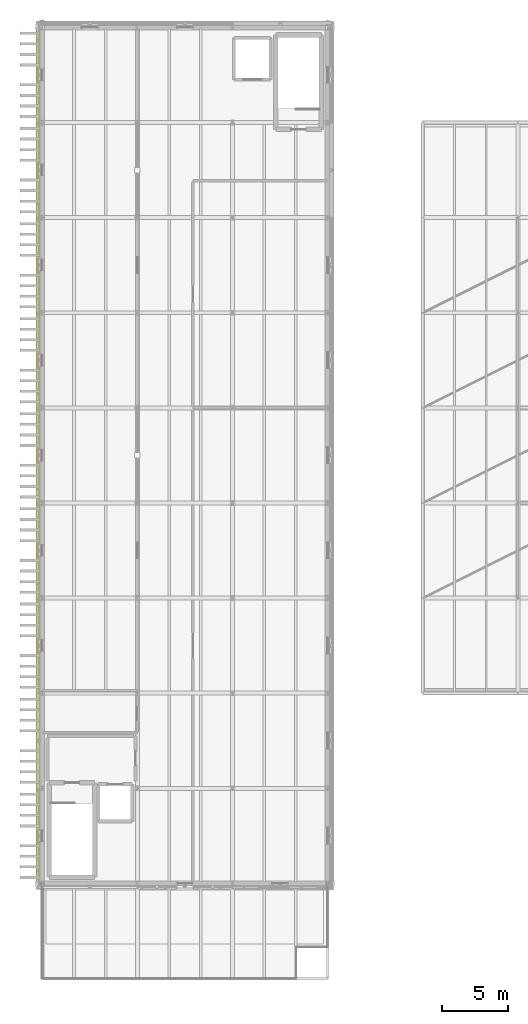
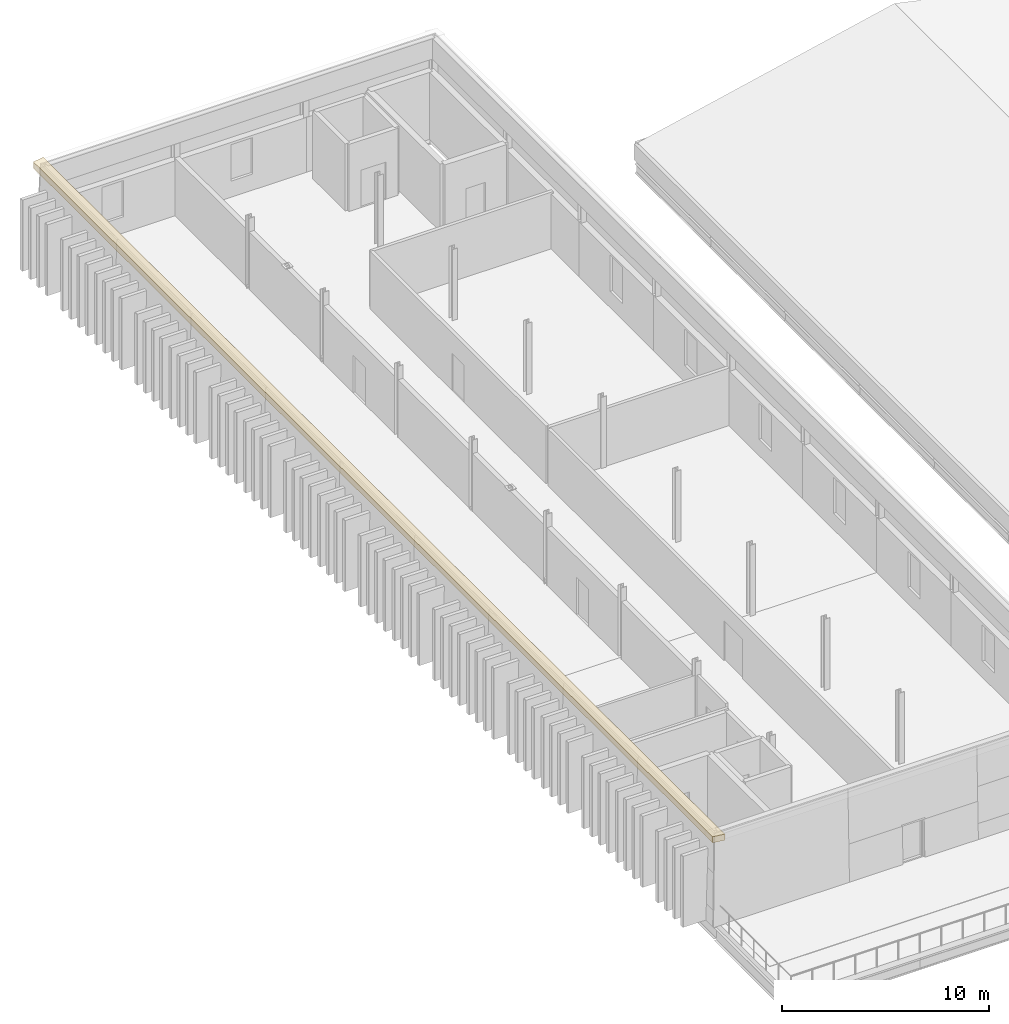
# One storey, part 39 of 44: 1 covering.
"""IFC4 building model written with IfcOpenShell, lengths in metres."""

from ifc_helpers import new_model, si_unit, direction, frame, origin, place, context, subcontext, project, spatial, polyline, outline, extrude, material, layer, layer_set, type_object, element, save


model = new_model("IFC4")

# Units and contexts
model_context = context("Model", 3, precision=1e-05, world=origin(), true_north=direction((0.0, 1.0)))
body_context = subcontext(model_context, "Body", "Model", "MODEL_VIEW")
ifc_project = project(units=[si_unit("LENGTHUNIT", "METRE"), si_unit("AREAUNIT", "SQUARE_METRE"), si_unit("VOLUMEUNIT", "CUBIC_METRE"), si_unit("PLANEANGLEUNIT", "RADIAN"), si_unit("MASSUNIT", "GRAM", prefix="KILO")], contexts=[model_context])

# Site, building, storey
site_placement = place(None, origin())
site = spatial("IfcSite", under=ifc_project, at=site_placement, CompositionType="ELEMENT")
building_placement = place(site_placement, origin())
building = spatial("IfcBuilding", under=site, at=building_placement, Name="Narikvali Park Central Library", CompositionType="ELEMENT")
storey_placement = place(building_placement, frame((0.0, 0.0, 22.800048828125)))
storey = spatial("IfcBuildingStorey", under=building, at=storey_placement, Name="L05", CompositionType="ELEMENT", Elevation=22.800048828125)

# Covering
ifc_material = material(Name="White Carved Limestone Cornice", Category="masonry")
ifc_layer = layer(ifc_material, 0.360107421875, Name="White Carved Limestone Cornice")
ifc_layer_set = layer_set([ifc_layer], Name="White Carved Limestone Cornice")
covering_type = type_object("IfcCoveringType", Name="Classical Projecting White Limestone Cornice", PredefinedType="CLADDING", material=ifc_layer_set)
covering_placement = place(storey_placement, frame((0.0, 0.0, 5.079833984375)))
element("IfcCovering", 1, at=covering_placement, inside=storey, type_object=covering_type, Name="V5 Main Hall of Books Classical Roof Cornice W", PredefinedType="CLADDING", context=body_context, shape_type="SweptSolid", body=[
    extrude(outline(polyline([(0.139892578125, 108.56005859375), (0.139892578125, 42.639892578125), (-0.47998046875, 42.739990234375), (-0.47998046875, 108.4599609375), (0.139892578125, 108.56005859375)])), origin(), (0.0, 0.0, 1.0), 0.360107421875),
])

save(model, "model.ifc")
